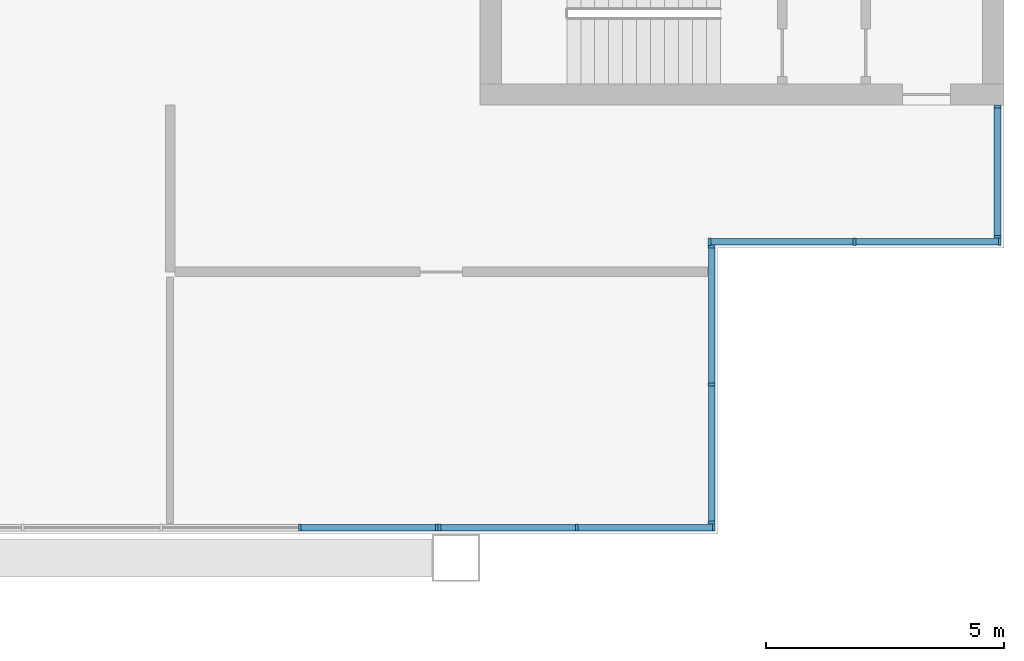
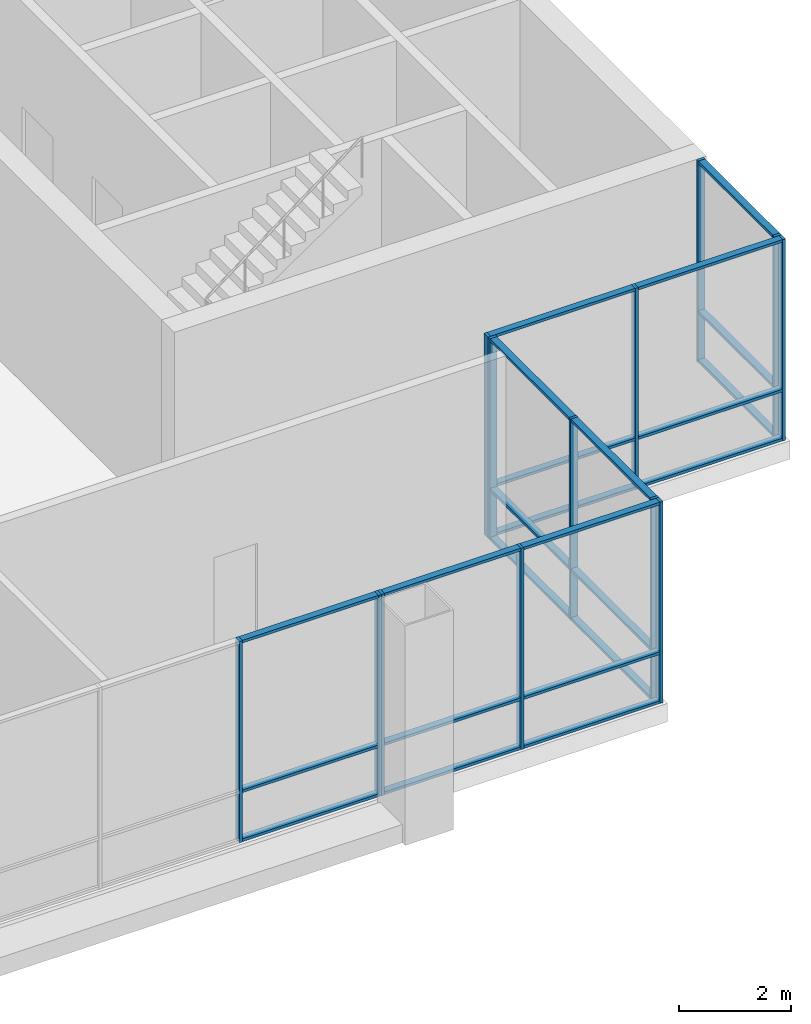
# One storey, part 6 of 15: 37 members, 5 elements without a shape of their own.
"""IFC4 building model written with IfcOpenShell, lengths in metres."""

import ifcopenshell
import ifcopenshell.guid

model = None  # the IFC model being written
_history = None  # IfcOwnerHistory: only IFC2X3 demands one
_inside = {}  # id of a spatial element -> (the spatial element, [elements in it])
_under = {}  # id of a project, library or spatial element -> (it, [spatial elements below it])
_declared = {}  # id of a project -> (the project, [libraries it declares])
_typed = {}  # id of a type object -> (the type object, [elements of that type])
_made_of = {}  # id of a material, layer set ... -> (it, [elements and type objects made of it])


def new_model(schema):
    """Start an empty IFC model of exactly this schema.

    Asked for "IFC4X3", IfcOpenShell would pick the latest addendum, in which some entities
    have other attributes; the version numbers below select the first issue.
    IFC2X3 requires an IfcOwnerHistory on every rooted entity: one is made here for all.
    """
    global model, _history
    if schema == "IFC4X3":
        model = ifcopenshell.file(schema_version=(4, 3, 0, 0))
    else:
        model = ifcopenshell.file(schema=schema)
    _inside.clear()
    _under.clear()
    _declared.clear()
    _typed.clear()
    _made_of.clear()
    _history = None
    if model.schema == "IFC2X3":
        org = make("IfcOrganization", Name="unknown")
        user = make(
            "IfcPersonAndOrganization",
            ThePerson=make("IfcPerson", FamilyName="unknown"),
            TheOrganization=org,
        )
        app = make(
            "IfcApplication",
            ApplicationDeveloper=org,
            Version="unknown",
            ApplicationFullName="unknown",
            ApplicationIdentifier="unknown",
        )
        _history = make(
            "IfcOwnerHistory",
            OwningUser=user,
            OwningApplication=app,
            ChangeAction="ADDED",
            CreationDate=0,
        )
    return model


def make(cls, **values):
    """One entity of the class cls with the attributes given. An attribute that is None is left unset."""
    return model.create_entity(
        cls, **{name: value for name, value in values.items() if value is not None}
    )


def rooted(cls, **values):
    """An entity with a GlobalId (a new one), such as an element, a storey or a relation."""
    return make(cls, GlobalId=ifcopenshell.guid.new(), OwnerHistory=_history, **values)


def si_unit(unit_type, name, prefix=None):
    """IfcSIUnit, for example si_unit("LENGTHUNIT", "METRE", prefix="MILLI")."""
    return make("IfcSIUnit", UnitType=unit_type, Prefix=prefix, Name=name)


def assignment(units):
    """IfcUnitAssignment: the units of a project."""
    return None if units is None else make("IfcUnitAssignment", Units=units)


def point(xyz):
    """IfcCartesianPoint."""
    return None if xyz is None else make("IfcCartesianPoint", Coordinates=xyz)


def direction(xyz):
    """IfcDirection."""
    return None if xyz is None else make("IfcDirection", DirectionRatios=xyz)


def frame(location, z_axis=None, x_axis=None):
    """IfcAxis2Placement3D, a coordinate frame: its origin and axes. An axis left out is left unset."""
    return make(
        "IfcAxis2Placement3D",
        Location=point(location),
        Axis=direction(z_axis),
        RefDirection=direction(x_axis),
    )


def frame_2d(location, x_axis=None):
    """IfcAxis2Placement2D, a coordinate frame in the plane: its origin and x axis."""
    return make(
        "IfcAxis2Placement2D", Location=point(location), RefDirection=direction(x_axis)
    )


def origin():
    """The frame at (0, 0, 0) with its axes left unset."""
    return frame((0.0, 0.0, 0.0))


def origin_2d():
    """The frame at (0, 0) in the plane with its x axis left unset."""
    return frame_2d((0.0, 0.0))


def place(relative_to, where):
    """IfcLocalPlacement: puts the frame where relative to a parent placement (None: the world)."""
    return make(
        "IfcLocalPlacement", PlacementRelTo=relative_to, RelativePlacement=where
    )


def context(
    kind, dimensions, precision=None, world=None, true_north=None, identifier=None
):
    """IfcGeometricRepresentationContext, for example the 3D "Model" context."""
    return make(
        "IfcGeometricRepresentationContext",
        ContextIdentifier=identifier,
        ContextType=kind,
        CoordinateSpaceDimension=dimensions,
        Precision=precision,
        WorldCoordinateSystem=world,
        TrueNorth=true_north,
    )


def subcontext(parent, identifier, kind, view, scale=None):
    """IfcGeometricRepresentationSubContext, for example "Body" below "Model"."""
    return make(
        "IfcGeometricRepresentationSubContext",
        ContextIdentifier=identifier,
        ContextType=kind,
        ParentContext=parent,
        TargetScale=scale,
        TargetView=view,
    )


def project(units=None, contexts=None):
    """IfcProject with its units and contexts."""
    return rooted(
        "IfcProject",
        Name="project",
        RepresentationContexts=contexts,
        UnitsInContext=assignment(units),
    )


def spatial(cls, under=None, at=None, **own):
    """A site, building, storey or space (cls), placed at a placement, below another one or the project."""
    s = rooted(cls, ObjectPlacement=at, **own)
    if under is not None:
        _under.setdefault(under.id(), (under, []))[1].append(s)
    return s


def profile(cls, at=None, kind="AREA", **sizes):
    """A parametric profile (cls). Its sizes go by their IFC names, for example OverallWidth=200.0."""
    return make(cls, ProfileType=kind, Position=at, **sizes)


def rectangle(**sizes):
    """IfcRectangleProfileDef."""
    return profile("IfcRectangleProfileDef", **sizes)


def extrude(swept, where, along, depth):
    """IfcExtrudedAreaSolid: the profile swept, set in the frame where, extruded along a direction by depth."""
    return make(
        "IfcExtrudedAreaSolid",
        SweptArea=swept,
        Position=where,
        ExtrudedDirection=direction(along),
        Depth=depth,
    )


def shape(context_of_items, identifier, shape_type, items):
    """IfcShapeRepresentation: the items that make up one representation, for example the "Body"."""
    return make(
        "IfcShapeRepresentation",
        ContextOfItems=context_of_items,
        RepresentationIdentifier=identifier,
        RepresentationType=shape_type,
        Items=items,
    )


def material(Name=None, Category=None):
    """IfcMaterial."""
    return make("IfcMaterial", Name=Name, Category=Category)


def material_profile(
    of_material, cross_section, Name=None, Category=None, Priority=None
):
    """IfcMaterialProfile: a cross section and its material."""
    return make(
        "IfcMaterialProfile",
        Name=Name,
        Material=of_material,
        Profile=cross_section,
        Priority=Priority,
        Category=Category,
    )


def profile_set(profiles, Name=None, composite=None):
    """IfcMaterialProfileSet."""
    return make(
        "IfcMaterialProfileSet",
        Name=Name,
        MaterialProfiles=profiles,
        CompositeProfile=composite,
    )


def made_of(thing, what):
    """Note that an element or type object is made of a material, layer set ...; save() writes the relation."""
    if what is not None:
        _made_of.setdefault(what.id(), (what, []))[1].append(thing)
    return thing


def type_object(cls, material=None, **own):
    """A type object (cls), such as IfcWallType, which elements share."""
    return made_of(rooted(cls, **own), material)


def element(
    cls,
    number,
    at=None,
    inside=None,
    cuts=None,
    type_object=None,
    material=None,
    context=None,
    identifier="Body",
    shape_type=None,
    held_by="IfcProductDefinitionShape",
    body=None,
    shapes=None,
    **own,
):
    """One element of the class cls, such as IfcWall. Its Tag is "e" and its number.

    at: its placement. inside: the storey or other place that contains it. cuts: it is an
    opening in that element (IfcRelVoidsElement). A single representation is given by context,
    identifier, shape_type and body (its items); several are given by shapes. held_by: the class
    of the entity that holds the representations. save() writes the other relations.
    """
    e = rooted(cls, Tag="e%d" % number, ObjectPlacement=at, **own)
    if body is not None:
        shapes = [shape(context, identifier, shape_type, body)]
    if shapes is not None:
        e.Representation = make(held_by, Representations=shapes)
    if inside is not None:
        _inside.setdefault(inside.id(), (inside, []))[1].append(e)
    if cuts is not None:
        rooted(
            "IfcRelVoidsElement", RelatingBuildingElement=cuts, RelatedOpeningElement=e
        )
    if type_object is not None:
        _typed.setdefault(type_object.id(), (type_object, []))[1].append(e)
    return made_of(e, material)


def aggregate(whole, parts):
    """IfcRelAggregates: a whole, such as a stair, and the parts it consists of."""
    return rooted("IfcRelAggregates", RelatingObject=whole, RelatedObjects=parts)


def save(model, path):
    """Write the relations noted so far, then the file.

    IfcRelAggregates (storeys below a building ...), IfcRelContainedInSpatialStructure (elements
    in a storey), IfcRelDefinesByType, IfcRelAssociatesMaterial and IfcRelDeclares: one each for
    every whole, place, type object, material and project.
    """
    for whole, parts in _under.values():
        aggregate(whole, parts)
    for where, things in _inside.values():
        rooted(
            "IfcRelContainedInSpatialStructure",
            RelatedElements=things,
            RelatingStructure=where,
        )
    for kind, things in _typed.values():
        rooted("IfcRelDefinesByType", RelatedObjects=things, RelatingType=kind)
    for what, things in _made_of.values():
        rooted("IfcRelAssociatesMaterial", RelatedObjects=things, RelatingMaterial=what)
    for by, libraries in _declared.values():
        rooted("IfcRelDeclares", RelatingContext=by, RelatedDefinitions=libraries)
    model.write(path)


model = new_model("IFC4")

# Units and contexts
model_context = context("Model", 3, precision=1e-05, world=origin(), true_north=direction((0.0, 1.0)))
body_context = subcontext(model_context, "Body", "Model", "MODEL_VIEW")
ifc_project = project(units=[si_unit("LENGTHUNIT", "METRE"), si_unit("AREAUNIT", "SQUARE_METRE"), si_unit("VOLUMEUNIT", "CUBIC_METRE"), si_unit("PLANEANGLEUNIT", "RADIAN"), si_unit("MASSUNIT", "GRAM", prefix="KILO")], contexts=[model_context])

# Site, building, storey
site_placement = place(None, origin())
site = spatial("IfcSite", under=ifc_project, at=site_placement, CompositionType="ELEMENT")
building_placement = place(site_placement, origin())
building = spatial("IfcBuilding", under=site, at=building_placement, Name="Kitamizu Gate Tower and Museum", CompositionType="ELEMENT")
storey_placement = place(building_placement, frame((0.0, 0.0, 273.14990234375)))
storey = spatial("IfcBuildingStorey", under=building, at=storey_placement, Name="L74", CompositionType="ELEMENT", Elevation=273.14990234375)

# Curtain wall, members
ifc_material_1 = material(Name="Bronze anodised aluminium frame, insulated panels", Category="aluminium")
curtain_wall_type_1 = type_object("IfcCurtainWallType", Name="CURTAIN WALL TYPE C SKY AMENITY INSULATED", PredefinedType="NOTDEFINED", material=ifc_material_1)
curtain_wall_1_placement = place(storey_placement, origin())
curtain_wall_1 = element("IfcCurtainWall", 1, at=curtain_wall_1_placement, inside=storey, type_object=curtain_wall_type_1, Name="Curtain wall CW-CI south L74 part 1", PredefinedType="NOTDEFINED")
ifc_material_2 = material(Name="Bronze anodised aluminium", Category="aluminium")
ifc_material_profile_1 = material_profile(ifc_material_2, rectangle(XDim=0.06005859375, YDim=0.14990234375, at=origin_2d()), Name="AL 60X150")
ifc_profile_set_1 = profile_set([ifc_material_profile_1], Name="Bronze anodised aluminium")
member_type_1 = type_object("IfcMemberType", Name="MULLION 60 X 150 TYPE C", PredefinedType="MULLION", material=ifc_profile_set_1)
member_1_placement = place(storey_placement, frame((44.719970703125, 12.635009765625, 0.0), z_axis=(0.0, 0.0, 1.0), x_axis=(1.0, 0.0, 0.0)))
member_1 = element("IfcMember", 2, at=member_1_placement, type_object=member_type_1, Name="CW-CI mullion 4", PredefinedType="MULLION", context=body_context, shape_type="SweptSolid", body=[
    extrude(rectangle(XDim=0.06005859375, YDim=0.14990234375, at=origin_2d()), origin(), (0.0, 0.0, 1.0), 4.400146484375),
])
member_2_placement = place(storey_placement, frame((47.5966796875, 12.635009765625, 0.0), z_axis=(0.0, 0.0, 1.0), x_axis=(1.0, 0.0, 0.0)))
member_2 = element("IfcMember", 3, at=member_2_placement, type_object=member_type_1, Name="CW-CI mullion 5", PredefinedType="MULLION", context=body_context, shape_type="SweptSolid", body=[
    extrude(rectangle(XDim=0.06005859375, YDim=0.14990234375, at=origin_2d()), origin(), (0.0, 0.0, 1.0), 4.400146484375),
])

ifc_material_3 = material(Name="Bronze anodised aluminium frame, tinted triple glazing", Category="aluminium")
curtain_wall_type_2 = type_object("IfcCurtainWallType", Name="CURTAIN WALL TYPE C SKY AMENITY", PredefinedType="NOTDEFINED", material=ifc_material_3)
curtain_wall_2_placement = place(storey_placement, origin())
curtain_wall_2 = element("IfcCurtainWall", 4, at=curtain_wall_2_placement, inside=storey, type_object=curtain_wall_type_2, Name="Curtain wall CW-C south L74 part 2", PredefinedType="NOTDEFINED")
member_3_placement = place(storey_placement, frame((47.65673828125, 12.635009765625, 0.0), z_axis=(0.0, 0.0, 1.0), x_axis=(1.0, 0.0, 0.0)))
member_3 = element("IfcMember", 5, at=member_3_placement, type_object=member_type_1, Name="CW-C mullion 1", PredefinedType="MULLION", context=body_context, shape_type="SweptSolid", body=[
    extrude(rectangle(XDim=0.06005859375, YDim=0.14990234375, at=origin_2d()), origin(), (0.0, 0.0, 1.0), 4.400146484375),
])
member_4_placement = place(storey_placement, frame((50.533447265625, 12.635009765625, 0.0), z_axis=(0.0, 0.0, 1.0), x_axis=(1.0, 0.0, 0.0)))
member_4 = element("IfcMember", 6, at=member_4_placement, type_object=member_type_1, Name="CW-C mullion 2", PredefinedType="MULLION", context=body_context, shape_type="SweptSolid", body=[
    extrude(rectangle(XDim=0.06005859375, YDim=0.14990234375, at=origin_2d()), origin(), (0.0, 0.0, 1.0), 4.400146484375),
])
member_5_placement = place(storey_placement, frame((53.409912109375, 12.635009765625, 0.0), z_axis=(0.0, 0.0, 1.0), x_axis=(1.0, 0.0, 0.0)))
member_5 = element("IfcMember", 7, at=member_5_placement, type_object=member_type_1, Name="CW-C mullion 3", PredefinedType="MULLION", context=body_context, shape_type="SweptSolid", body=[
    extrude(rectangle(XDim=0.06005859375, YDim=0.14990234375, at=origin_2d()), origin(), (0.0, 0.0, 1.0), 4.400146484375),
])

curtain_wall_3_placement = place(storey_placement, origin())
curtain_wall_3 = element("IfcCurtainWall", 8, at=curtain_wall_3_placement, inside=storey, type_object=curtain_wall_type_2, Name="Curtain wall CW-C east L74", PredefinedType="NOTDEFINED")
member_6_placement = place(storey_placement, frame((53.364990234375, 12.739990234375, 0.0), z_axis=(0.0, 0.0, 1.0), x_axis=(0.0, 1.0, 0.0)))
member_6 = element("IfcMember", 9, at=member_6_placement, type_object=member_type_1, Name="CW-C mullion 1", PredefinedType="MULLION", context=body_context, shape_type="SweptSolid", body=[
    extrude(rectangle(XDim=0.06005859375, YDim=0.14990234375, at=origin_2d()), origin(), (0.0, 0.0, 1.0), 4.400146484375),
])
member_7_placement = place(storey_placement, frame((53.364990234375, 15.635009765625, 0.0), z_axis=(0.0, 0.0, 1.0), x_axis=(0.0, 1.0, 0.0)))
member_7 = element("IfcMember", 10, at=member_7_placement, type_object=member_type_1, Name="CW-C mullion 2", PredefinedType="MULLION", context=body_context, shape_type="SweptSolid", body=[
    extrude(rectangle(XDim=0.06005859375, YDim=0.14990234375, at=origin_2d()), origin(), (0.0, 0.0, 1.0), 4.400146484375),
])
member_8_placement = place(storey_placement, frame((53.364990234375, 18.530029296875, 0.0), z_axis=(0.0, 0.0, 1.0), x_axis=(0.0, 1.0, 0.0)))
member_8 = element("IfcMember", 11, at=member_8_placement, type_object=member_type_1, Name="CW-C mullion 3", PredefinedType="MULLION", context=body_context, shape_type="SweptSolid", body=[
    extrude(rectangle(XDim=0.06005859375, YDim=0.14990234375, at=origin_2d()), origin(), (0.0, 0.0, 1.0), 4.400146484375),
])

curtain_wall_4_placement = place(storey_placement, origin())
curtain_wall_4 = element("IfcCurtainWall", 12, at=curtain_wall_4_placement, inside=storey, type_object=curtain_wall_type_2, Name="Curtain wall CW-C south L74", PredefinedType="NOTDEFINED")
member_9_placement = place(storey_placement, frame((53.320068359375, 18.635009765625, 0.0), z_axis=(0.0, 0.0, 1.0), x_axis=(1.0, 0.0, 0.0)))
member_9 = element("IfcMember", 13, at=member_9_placement, type_object=member_type_1, Name="CW-C mullion 1", PredefinedType="MULLION", context=body_context, shape_type="SweptSolid", body=[
    extrude(rectangle(XDim=0.06005859375, YDim=0.14990234375, at=origin_2d()), origin(), (0.0, 0.0, 1.0), 4.400146484375),
])
member_10_placement = place(storey_placement, frame((56.364990234375, 18.635009765625, 0.0), z_axis=(0.0, 0.0, 1.0), x_axis=(1.0, 0.0, 0.0)))
member_10 = element("IfcMember", 14, at=member_10_placement, type_object=member_type_1, Name="CW-C mullion 2", PredefinedType="MULLION", context=body_context, shape_type="SweptSolid", body=[
    extrude(rectangle(XDim=0.06005859375, YDim=0.14990234375, at=origin_2d()), origin(), (0.0, 0.0, 1.0), 4.400146484375),
])
member_11_placement = place(storey_placement, frame((59.409912109375, 18.635009765625, 0.0), z_axis=(0.0, 0.0, 1.0), x_axis=(1.0, 0.0, 0.0)))
member_11 = element("IfcMember", 15, at=member_11_placement, type_object=member_type_1, Name="CW-C mullion 3", PredefinedType="MULLION", context=body_context, shape_type="SweptSolid", body=[
    extrude(rectangle(XDim=0.06005859375, YDim=0.14990234375, at=origin_2d()), origin(), (0.0, 0.0, 1.0), 4.400146484375),
])

curtain_wall_5_placement = place(storey_placement, origin())
curtain_wall_5 = element("IfcCurtainWall", 16, at=curtain_wall_5_placement, inside=storey, type_object=curtain_wall_type_2, Name="Curtain wall CW-C east L74", PredefinedType="NOTDEFINED")
member_12_placement = place(storey_placement, frame((59.364990234375, 18.739990234375, 0.0), z_axis=(0.0, 0.0, 1.0), x_axis=(0.0, 1.0, 0.0)))
member_12 = element("IfcMember", 17, at=member_12_placement, type_object=member_type_1, Name="CW-C mullion 1", PredefinedType="MULLION", context=body_context, shape_type="SweptSolid", body=[
    extrude(rectangle(XDim=0.06005859375, YDim=0.14990234375, at=origin_2d()), origin(), (0.0, 0.0, 1.0), 4.400146484375),
])
member_13_placement = place(storey_placement, frame((59.364990234375, 21.469970703125, 0.0), z_axis=(0.0, 0.0, 1.0), x_axis=(0.0, 1.0, 0.0)))
member_13 = element("IfcMember", 18, at=member_13_placement, type_object=member_type_1, Name="CW-C mullion 2", PredefinedType="MULLION", context=body_context, shape_type="SweptSolid", body=[
    extrude(rectangle(XDim=0.06005859375, YDim=0.14990234375, at=origin_2d()), origin(), (0.0, 0.0, 1.0), 4.400146484375),
])

# Member
ifc_material_4 = material(Name="Bronze anodised aluminium", Category="aluminium")
ifc_material_profile_2 = material_profile(ifc_material_4, rectangle(XDim=0.139892578125, YDim=0.06005859375, at=origin_2d()), Name="AL 60X140")
ifc_profile_set_2 = profile_set([ifc_material_profile_2], Name="Bronze anodised aluminium")
member_type_2 = type_object("IfcMemberType", Name="TRANSOM 60 X 140 TYPE C", PredefinedType="USERDEFINED", material=ifc_profile_set_2)
member_14_placement = place(storey_placement, frame((44.75, 12.635009765625, 0.030029296875), z_axis=(1.0, 0.0, 0.0), x_axis=(0.0, 1.0, 0.0)))
member_14 = element("IfcMember", 19, at=member_14_placement, type_object=member_type_2, Name="CW-CI transom 4.1", ObjectType="TRANSOM", PredefinedType="USERDEFINED", context=body_context, shape_type="SweptSolid", body=[
    extrude(rectangle(XDim=0.139892578125, YDim=0.06005859375, at=origin_2d()), origin(), (0.0, 0.0, 1.0), 2.816650390625),
])

member_15_placement = place(storey_placement, frame((44.75, 12.635009765625, 1.10009765625), z_axis=(1.0, 0.0, 0.0), x_axis=(0.0, 1.0, 0.0)))
member_15 = element("IfcMember", 20, at=member_15_placement, type_object=member_type_2, Name="CW-CI transom 4.2", ObjectType="TRANSOM", PredefinedType="USERDEFINED", context=body_context, shape_type="SweptSolid", body=[
    extrude(rectangle(XDim=0.139892578125, YDim=0.06005859375, at=origin_2d()), origin(), (0.0, 0.0, 1.0), 2.816650390625),
])

member_16_placement = place(storey_placement, frame((44.75, 12.635009765625, 4.3701171875), z_axis=(1.0, 0.0, 0.0), x_axis=(0.0, 1.0, 0.0)))
member_16 = element("IfcMember", 21, at=member_16_placement, type_object=member_type_2, Name="CW-CI transom 4.3", ObjectType="TRANSOM", PredefinedType="USERDEFINED", context=body_context, shape_type="SweptSolid", body=[
    extrude(rectangle(XDim=0.139892578125, YDim=0.06005859375, at=origin_2d()), origin(), (0.0, 0.0, 1.0), 2.816650390625),
])

aggregate(curtain_wall_1, [member_1, member_2, member_14, member_15, member_16])

member_17_placement = place(storey_placement, frame((47.686767578125, 12.635009765625, 0.030029296875), z_axis=(1.0, 0.0, 0.0), x_axis=(0.0, 1.0, 0.0)))
member_17 = element("IfcMember", 22, at=member_17_placement, type_object=member_type_2, Name="CW-C transom 1.1", ObjectType="TRANSOM", PredefinedType="USERDEFINED", context=body_context, shape_type="SweptSolid", body=[
    extrude(rectangle(XDim=0.139892578125, YDim=0.06005859375, at=origin_2d()), origin(), (0.0, 0.0, 1.0), 2.816650390625),
])

member_18_placement = place(storey_placement, frame((47.686767578125, 12.635009765625, 1.10009765625), z_axis=(1.0, 0.0, 0.0), x_axis=(0.0, 1.0, 0.0)))
member_18 = element("IfcMember", 23, at=member_18_placement, type_object=member_type_2, Name="CW-C transom 1.2", ObjectType="TRANSOM", PredefinedType="USERDEFINED", context=body_context, shape_type="SweptSolid", body=[
    extrude(rectangle(XDim=0.139892578125, YDim=0.06005859375, at=origin_2d()), origin(), (0.0, 0.0, 1.0), 2.816650390625),
])

member_19_placement = place(storey_placement, frame((47.686767578125, 12.635009765625, 4.3701171875), z_axis=(1.0, 0.0, 0.0), x_axis=(0.0, 1.0, 0.0)))
member_19 = element("IfcMember", 24, at=member_19_placement, type_object=member_type_2, Name="CW-C transom 1.3", ObjectType="TRANSOM", PredefinedType="USERDEFINED", context=body_context, shape_type="SweptSolid", body=[
    extrude(rectangle(XDim=0.139892578125, YDim=0.06005859375, at=origin_2d()), origin(), (0.0, 0.0, 1.0), 2.816650390625),
])

member_20_placement = place(storey_placement, frame((50.563232421875, 12.635009765625, 0.030029296875), z_axis=(1.0, 0.0, 0.0), x_axis=(0.0, 1.0, 0.0)))
member_20 = element("IfcMember", 25, at=member_20_placement, type_object=member_type_2, Name="CW-C transom 2.1", ObjectType="TRANSOM", PredefinedType="USERDEFINED", context=body_context, shape_type="SweptSolid", body=[
    extrude(rectangle(XDim=0.139892578125, YDim=0.06005859375, at=origin_2d()), origin(), (0.0, 0.0, 1.0), 2.816650390625),
])

member_21_placement = place(storey_placement, frame((50.563232421875, 12.635009765625, 1.10009765625), z_axis=(1.0, 0.0, 0.0), x_axis=(0.0, 1.0, 0.0)))
member_21 = element("IfcMember", 26, at=member_21_placement, type_object=member_type_2, Name="CW-C transom 2.2", ObjectType="TRANSOM", PredefinedType="USERDEFINED", context=body_context, shape_type="SweptSolid", body=[
    extrude(rectangle(XDim=0.139892578125, YDim=0.06005859375, at=origin_2d()), origin(), (0.0, 0.0, 1.0), 2.816650390625),
])

member_22_placement = place(storey_placement, frame((50.563232421875, 12.635009765625, 4.3701171875), z_axis=(1.0, 0.0, 0.0), x_axis=(0.0, 1.0, 0.0)))
member_22 = element("IfcMember", 27, at=member_22_placement, type_object=member_type_2, Name="CW-C transom 2.3", ObjectType="TRANSOM", PredefinedType="USERDEFINED", context=body_context, shape_type="SweptSolid", body=[
    extrude(rectangle(XDim=0.139892578125, YDim=0.06005859375, at=origin_2d()), origin(), (0.0, 0.0, 1.0), 2.816650390625),
])

aggregate(curtain_wall_2, [member_3, member_4, member_5, member_17, member_18, member_19, member_20, member_21, member_22])

member_23_placement = place(storey_placement, frame((53.364990234375, 12.77001953125, 0.030029296875), z_axis=(0.0, 1.0, 0.0), x_axis=(-1.0, 0.0, 0.0)))
member_23 = element("IfcMember", 28, at=member_23_placement, type_object=member_type_2, Name="CW-C transom 1.1", ObjectType="TRANSOM", PredefinedType="USERDEFINED", context=body_context, shape_type="SweptSolid", body=[
    extrude(rectangle(XDim=0.139892578125, YDim=0.06005859375, at=origin_2d()), origin(), (0.0, 0.0, 1.0), 2.8349609375),
])

member_24_placement = place(storey_placement, frame((53.364990234375, 12.77001953125, 1.10009765625), z_axis=(0.0, 1.0, 0.0), x_axis=(-1.0, 0.0, 0.0)))
member_24 = element("IfcMember", 29, at=member_24_placement, type_object=member_type_2, Name="CW-C transom 1.2", ObjectType="TRANSOM", PredefinedType="USERDEFINED", context=body_context, shape_type="SweptSolid", body=[
    extrude(rectangle(XDim=0.139892578125, YDim=0.06005859375, at=origin_2d()), origin(), (0.0, 0.0, 1.0), 2.8349609375),
])

member_25_placement = place(storey_placement, frame((53.364990234375, 12.77001953125, 4.3701171875), z_axis=(0.0, 1.0, 0.0), x_axis=(-1.0, 0.0, 0.0)))
member_25 = element("IfcMember", 30, at=member_25_placement, type_object=member_type_2, Name="CW-C transom 1.3", ObjectType="TRANSOM", PredefinedType="USERDEFINED", context=body_context, shape_type="SweptSolid", body=[
    extrude(rectangle(XDim=0.139892578125, YDim=0.06005859375, at=origin_2d()), origin(), (0.0, 0.0, 1.0), 2.8349609375),
])

member_26_placement = place(storey_placement, frame((53.364990234375, 15.6650390625, 0.030029296875), z_axis=(0.0, 1.0, 0.0), x_axis=(-1.0, 0.0, 0.0)))
member_26 = element("IfcMember", 31, at=member_26_placement, type_object=member_type_2, Name="CW-C transom 2.1", ObjectType="TRANSOM", PredefinedType="USERDEFINED", context=body_context, shape_type="SweptSolid", body=[
    extrude(rectangle(XDim=0.139892578125, YDim=0.06005859375, at=origin_2d()), origin(), (0.0, 0.0, 1.0), 2.8349609375),
])

member_27_placement = place(storey_placement, frame((53.364990234375, 15.6650390625, 1.10009765625), z_axis=(0.0, 1.0, 0.0), x_axis=(-1.0, 0.0, 0.0)))
member_27 = element("IfcMember", 32, at=member_27_placement, type_object=member_type_2, Name="CW-C transom 2.2", ObjectType="TRANSOM", PredefinedType="USERDEFINED", context=body_context, shape_type="SweptSolid", body=[
    extrude(rectangle(XDim=0.139892578125, YDim=0.06005859375, at=origin_2d()), origin(), (0.0, 0.0, 1.0), 2.8349609375),
])

member_28_placement = place(storey_placement, frame((53.364990234375, 15.6650390625, 4.3701171875), z_axis=(0.0, 1.0, 0.0), x_axis=(-1.0, 0.0, 0.0)))
member_28 = element("IfcMember", 33, at=member_28_placement, type_object=member_type_2, Name="CW-C transom 2.3", ObjectType="TRANSOM", PredefinedType="USERDEFINED", context=body_context, shape_type="SweptSolid", body=[
    extrude(rectangle(XDim=0.139892578125, YDim=0.06005859375, at=origin_2d()), origin(), (0.0, 0.0, 1.0), 2.8349609375),
])

aggregate(curtain_wall_3, [member_6, member_7, member_8, member_23, member_24, member_25, member_26, member_27, member_28])

member_29_placement = place(storey_placement, frame((53.35009765625, 18.635009765625, 0.030029296875), z_axis=(1.0, 0.0, 0.0), x_axis=(0.0, 1.0, 0.0)))
member_29 = element("IfcMember", 34, at=member_29_placement, type_object=member_type_2, Name="CW-C transom 1.1", ObjectType="TRANSOM", PredefinedType="USERDEFINED", context=body_context, shape_type="SweptSolid", body=[
    extrude(rectangle(XDim=0.139892578125, YDim=0.06005859375, at=origin_2d()), origin(), (0.0, 0.0, 1.0), 2.98486328125),
])

member_30_placement = place(storey_placement, frame((53.35009765625, 18.635009765625, 1.10009765625), z_axis=(1.0, 0.0, 0.0), x_axis=(0.0, 1.0, 0.0)))
member_30 = element("IfcMember", 35, at=member_30_placement, type_object=member_type_2, Name="CW-C transom 1.2", ObjectType="TRANSOM", PredefinedType="USERDEFINED", context=body_context, shape_type="SweptSolid", body=[
    extrude(rectangle(XDim=0.139892578125, YDim=0.06005859375, at=origin_2d()), origin(), (0.0, 0.0, 1.0), 2.98486328125),
])

member_31_placement = place(storey_placement, frame((53.35009765625, 18.635009765625, 4.3701171875), z_axis=(1.0, 0.0, 0.0), x_axis=(0.0, 1.0, 0.0)))
member_31 = element("IfcMember", 36, at=member_31_placement, type_object=member_type_2, Name="CW-C transom 1.3", ObjectType="TRANSOM", PredefinedType="USERDEFINED", context=body_context, shape_type="SweptSolid", body=[
    extrude(rectangle(XDim=0.139892578125, YDim=0.06005859375, at=origin_2d()), origin(), (0.0, 0.0, 1.0), 2.98486328125),
])

member_32_placement = place(storey_placement, frame((56.39501953125, 18.635009765625, 0.030029296875), z_axis=(1.0, 0.0, 0.0), x_axis=(0.0, 1.0, 0.0)))
member_32 = element("IfcMember", 37, at=member_32_placement, type_object=member_type_2, Name="CW-C transom 2.1", ObjectType="TRANSOM", PredefinedType="USERDEFINED", context=body_context, shape_type="SweptSolid", body=[
    extrude(rectangle(XDim=0.139892578125, YDim=0.06005859375, at=origin_2d()), origin(), (0.0, 0.0, 1.0), 2.98486328125),
])

member_33_placement = place(storey_placement, frame((56.39501953125, 18.635009765625, 1.10009765625), z_axis=(1.0, 0.0, 0.0), x_axis=(0.0, 1.0, 0.0)))
member_33 = element("IfcMember", 38, at=member_33_placement, type_object=member_type_2, Name="CW-C transom 2.2", ObjectType="TRANSOM", PredefinedType="USERDEFINED", context=body_context, shape_type="SweptSolid", body=[
    extrude(rectangle(XDim=0.139892578125, YDim=0.06005859375, at=origin_2d()), origin(), (0.0, 0.0, 1.0), 2.98486328125),
])

member_34_placement = place(storey_placement, frame((56.39501953125, 18.635009765625, 4.3701171875), z_axis=(1.0, 0.0, 0.0), x_axis=(0.0, 1.0, 0.0)))
member_34 = element("IfcMember", 39, at=member_34_placement, type_object=member_type_2, Name="CW-C transom 2.3", ObjectType="TRANSOM", PredefinedType="USERDEFINED", context=body_context, shape_type="SweptSolid", body=[
    extrude(rectangle(XDim=0.139892578125, YDim=0.06005859375, at=origin_2d()), origin(), (0.0, 0.0, 1.0), 2.98486328125),
])

aggregate(curtain_wall_4, [member_9, member_10, member_11, member_29, member_30, member_31, member_32, member_33, member_34])

member_35_placement = place(storey_placement, frame((59.364990234375, 18.77001953125, 0.030029296875), z_axis=(0.0, 1.0, 0.0), x_axis=(-1.0, 0.0, 0.0)))
member_35 = element("IfcMember", 40, at=member_35_placement, type_object=member_type_2, Name="CW-C transom 1.1", ObjectType="TRANSOM", PredefinedType="USERDEFINED", context=body_context, shape_type="SweptSolid", body=[
    extrude(rectangle(XDim=0.139892578125, YDim=0.06005859375, at=origin_2d()), origin(), (0.0, 0.0, 1.0), 2.669921875),
])

member_36_placement = place(storey_placement, frame((59.364990234375, 18.77001953125, 1.10009765625), z_axis=(0.0, 1.0, 0.0), x_axis=(-1.0, 0.0, 0.0)))
member_36 = element("IfcMember", 41, at=member_36_placement, type_object=member_type_2, Name="CW-C transom 1.2", ObjectType="TRANSOM", PredefinedType="USERDEFINED", context=body_context, shape_type="SweptSolid", body=[
    extrude(rectangle(XDim=0.139892578125, YDim=0.06005859375, at=origin_2d()), origin(), (0.0, 0.0, 1.0), 2.669921875),
])

member_37_placement = place(storey_placement, frame((59.364990234375, 18.77001953125, 4.3701171875), z_axis=(0.0, 1.0, 0.0), x_axis=(-1.0, 0.0, 0.0)))
member_37 = element("IfcMember", 42, at=member_37_placement, type_object=member_type_2, Name="CW-C transom 1.3", ObjectType="TRANSOM", PredefinedType="USERDEFINED", context=body_context, shape_type="SweptSolid", body=[
    extrude(rectangle(XDim=0.139892578125, YDim=0.06005859375, at=origin_2d()), origin(), (0.0, 0.0, 1.0), 2.669921875),
])

aggregate(curtain_wall_5, [member_12, member_13, member_35, member_36, member_37])

save(model, "model.ifc")
